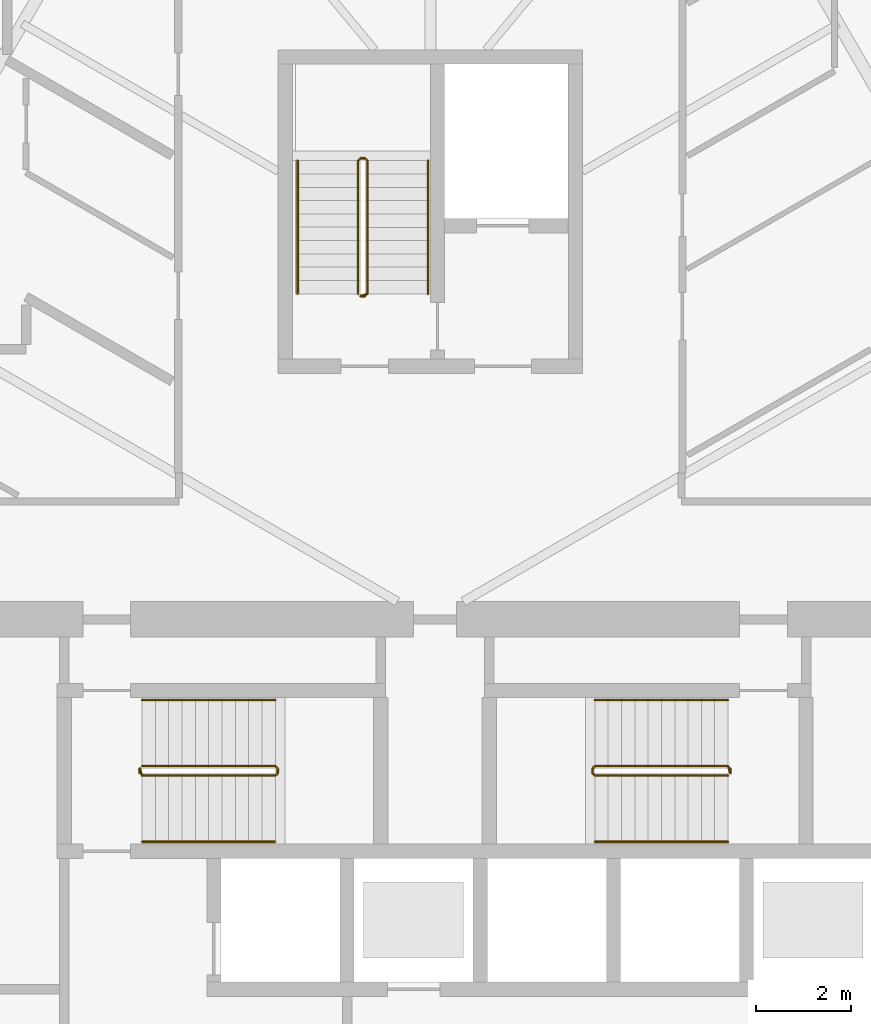
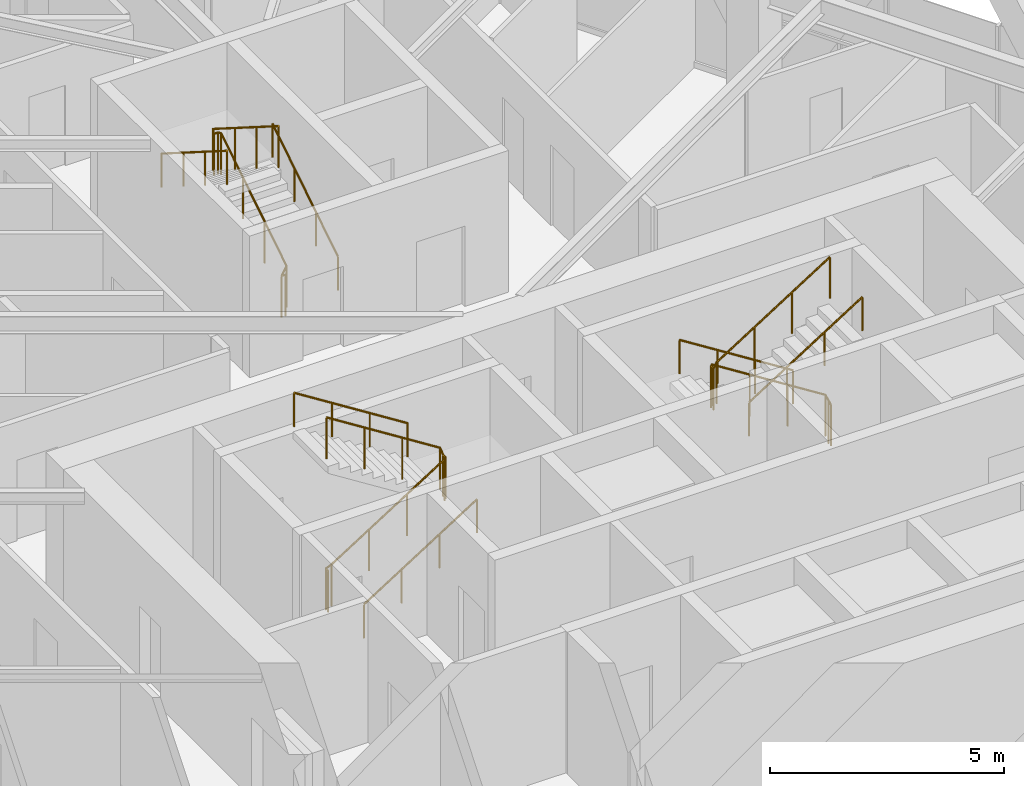
# One storey, part 18 of 19: 9 railings.
"""IFC4 building model written with IfcOpenShell, lengths in metres."""

from ifc_helpers import new_model, si_unit, direction, frame, origin, origin_2d, place, context, subcontext, project, spatial, circle, extrude, material, type_object, element, save


model = new_model("IFC4")

# Units and contexts
model_context = context("Model", 3, precision=1e-05, world=origin(), true_north=direction((0.0, 1.0)))
body_context = subcontext(model_context, "Body", "Model", "MODEL_VIEW")
ifc_project = project(units=[si_unit("LENGTHUNIT", "METRE"), si_unit("AREAUNIT", "SQUARE_METRE"), si_unit("VOLUMEUNIT", "CUBIC_METRE"), si_unit("PLANEANGLEUNIT", "RADIAN"), si_unit("MASSUNIT", "GRAM", prefix="KILO")], contexts=[model_context])

# Site, building, storey
site_placement = place(None, origin())
site = spatial("IfcSite", under=ifc_project, at=site_placement, CompositionType="ELEMENT")
building_placement = place(site_placement, origin())
building = spatial("IfcBuilding", under=site, at=building_placement, Name="Firuza Gate Tower and Library", CompositionType="ELEMENT")
storey_placement = place(building_placement, frame((0.0, 0.0, 233.800048828125)))
storey = spatial("IfcBuildingStorey", under=building, at=storey_placement, Name="L55", CompositionType="ELEMENT", Elevation=233.800048828125)

# Railings
ifc_material_1 = material(Name="Steel S355", Category="steel")
railing_type_1 = type_object("IfcRailingType", Name="Stair guard 1100", PredefinedType="GUARDRAIL", material=ifc_material_1)
railing_1_placement = place(storey_placement, frame((68.889892578125, 79.389892578125, 0.0)))
element("IfcRailing", 1, at=railing_1_placement, inside=storey, type_object=railing_type_1, Name="L55 ST1 stair guard 1", PredefinedType="GUARDRAIL", context=body_context, shape_type="SweptSolid", body=[
    extrude(circle(Radius=0.02392578125, at=origin_2d()), frame((0.0, 0.0, 1.076171875), z_axis=(0.0, 1.0, 0.0), x_axis=(-1.0, 0.0, 0.0)), (0.0, 0.0, 1.0), 0.10009765625),
    extrude(circle(Radius=0.02392578125, at=origin_2d()), frame((0.0, 0.10009765625, 1.076171875), z_axis=(0.210758951027, -0.631248760638, 0.74639511437), x_axis=(0.948528701346, 0.316691178788, 0.0)), (0.0, 0.0, 1.0), 0.237548828125),
    extrude(circle(Radius=0.02392578125, at=origin_2d()), frame((0.050048828125, -0.0498046875, 1.25341796875), z_axis=(0.844908973607, 0.0, 0.534910110503), x_axis=(0.0, 1.0, 0.0)), (0.0, 0.0, 1.0), 3.31396484375),
    extrude(circle(Radius=0.02392578125, at=origin_2d()), frame((2.85009765625, -0.0498046875, 3.02587890625), z_axis=(0.708833529934, 0.705375805398, 0.0), x_axis=(-0.705375805398, 0.708833529934, 0.0)), (0.0, 0.0, 1.0), 0.070556640625),
    extrude(circle(Radius=0.02392578125, at=origin_2d()), frame((2.900146484375, 0.0, 3.02587890625), z_axis=(0.0, 1.0, 0.0), x_axis=(-1.0, 0.0, 0.0)), (0.0, 0.0, 1.0), 0.10009765625),
    extrude(circle(Radius=0.02392578125, at=origin_2d()), frame((2.900146484375, 0.10009765625, 3.02587890625), z_axis=(-0.262233686654, 0.262233686654, 0.928691007369), x_axis=(-0.707106781187, -0.707106781187, 0.0)), (0.0, 0.0, 1.0), 0.19091796875),
    extrude(circle(Radius=0.02392578125, at=origin_2d()), frame((2.85009765625, 0.150146484375, 3.203125), z_axis=(-0.844908973607, 0.0, 0.534910110503), x_axis=(0.0, -1.0, 0.0)), (0.0, 0.0, 1.0), 3.31396484375),
    extrude(circle(Radius=0.02099609375, at=origin_2d()), origin(), (0.0, 0.0, 1.0), 1.052001953125),
    extrude(circle(Radius=0.02099609375, at=origin_2d()), frame((0.0, 0.10009765625, 0.0)), (0.0, 0.0, 1.0), 1.052001953125),
    extrude(circle(Radius=0.02099609375, at=origin_2d()), frame((0.050048828125, -0.0498046875, 0.17724609375)), (0.0, 0.0, 1.0), 1.052001953125),
    extrude(circle(Radius=0.02099609375, at=origin_2d()), frame((0.9833984375, -0.0498046875, 0.76806640625)), (0.0, 0.0, 1.0), 1.052001953125),
    extrude(circle(Radius=0.02099609375, at=origin_2d()), frame((1.916748046875, -0.0498046875, 1.359130859375)), (0.0, 0.0, 1.0), 1.052001953125),
    extrude(circle(Radius=0.02099609375, at=origin_2d()), frame((2.85009765625, -0.0498046875, 1.949951171875)), (0.0, 0.0, 1.0), 1.052001953125),
    extrude(circle(Radius=0.02099609375, at=origin_2d()), frame((2.900146484375, 0.0, 1.949951171875)), (0.0, 0.0, 1.0), 1.052001953125),
    extrude(circle(Radius=0.02099609375, at=origin_2d()), frame((2.900146484375, 0.10009765625, 1.949951171875)), (0.0, 0.0, 1.0), 1.052001953125),
    extrude(circle(Radius=0.02099609375, at=origin_2d()), frame((2.85009765625, 0.150146484375, 2.127197265625)), (0.0, 0.0, 1.0), 1.052001953125),
    extrude(circle(Radius=0.02099609375, at=origin_2d()), frame((1.916748046875, 0.150146484375, 2.718017578125)), (0.0, 0.0, 1.0), 1.052001953125),
    extrude(circle(Radius=0.02099609375, at=origin_2d()), frame((0.9833984375, 0.150146484375, 3.30908203125)), (0.0, 0.0, 1.0), 1.052001953125),
    extrude(circle(Radius=0.02099609375, at=origin_2d()), frame((0.050048828125, 0.150146484375, 3.89990234375)), (0.0, 0.0, 1.0), 1.052001953125),
])
railing_2_placement = place(storey_placement, frame((81.31005859375, 79.489990234375, 0.0)))
element("IfcRailing", 2, at=railing_2_placement, inside=storey, type_object=railing_type_1, Name="L55 ST2 stair guard 1", PredefinedType="GUARDRAIL", context=body_context, shape_type="SweptSolid", body=[
    extrude(circle(Radius=0.02392578125, at=origin_2d()), frame((0.0, 0.0, 1.076171875), z_axis=(0.0, -1.0, 0.0), x_axis=(1.0, 0.0, 0.0)), (0.0, 0.0, 1.0), 0.10009765625),
    extrude(circle(Radius=0.02392578125, at=origin_2d()), frame((0.0, -0.10009765625, 1.076171875), z_axis=(-0.210622194084, 0.631866582253, 0.74591079466), x_axis=(-0.948683298051, -0.316227766017, 0.0)), (0.0, 0.0, 1.0), 0.237548828125),
    extrude(circle(Radius=0.02392578125, at=origin_2d()), frame((-0.050048828125, 0.050048828125, 1.25341796875), z_axis=(-0.844908973607, 0.0, 0.534910110503), x_axis=(0.0, -1.0, 0.0)), (0.0, 0.0, 1.0), 3.31396484375),
    extrude(circle(Radius=0.02392578125, at=origin_2d()), frame((-2.85009765625, 0.050048828125, 3.02587890625), z_axis=(-0.707106781187, -0.707106781187, 0.0), x_axis=(0.707106781187, -0.707106781187, 0.0)), (0.0, 0.0, 1.0), 0.07080078125),
    extrude(circle(Radius=0.02392578125, at=origin_2d()), frame((-2.900146484375, 0.0, 3.02587890625), z_axis=(0.0, -1.0, 0.0), x_axis=(1.0, 0.0, 0.0)), (0.0, 0.0, 1.0), 0.10009765625),
    extrude(circle(Radius=0.02392578125, at=origin_2d()), frame((-2.900146484375, -0.10009765625, 3.02587890625), z_axis=(0.262321481514, -0.261041864531, 0.929001929653), x_axis=(0.705375805398, 0.708833529934, 0.0)), (0.0, 0.0, 1.0), 0.190673828125),
    extrude(circle(Radius=0.02392578125, at=origin_2d()), frame((-2.85009765625, -0.14990234375, 3.203125), z_axis=(0.844908973607, 0.0, 0.534910110503), x_axis=(0.0, 1.0, 0.0)), (0.0, 0.0, 1.0), 3.31396484375),
    extrude(circle(Radius=0.02099609375, at=origin_2d()), origin(), (0.0, 0.0, 1.0), 1.052001953125),
    extrude(circle(Radius=0.02099609375, at=origin_2d()), frame((0.0, -0.10009765625, 0.0)), (0.0, 0.0, 1.0), 1.052001953125),
    extrude(circle(Radius=0.02099609375, at=origin_2d()), frame((-0.050048828125, 0.050048828125, 0.17724609375)), (0.0, 0.0, 1.0), 1.052001953125),
    extrude(circle(Radius=0.02099609375, at=origin_2d()), frame((-0.9833984375, 0.050048828125, 0.76806640625)), (0.0, 0.0, 1.0), 1.052001953125),
    extrude(circle(Radius=0.02099609375, at=origin_2d()), frame((-1.916748046875, 0.050048828125, 1.359130859375)), (0.0, 0.0, 1.0), 1.052001953125),
    extrude(circle(Radius=0.02099609375, at=origin_2d()), frame((-2.85009765625, 0.050048828125, 1.949951171875)), (0.0, 0.0, 1.0), 1.052001953125),
    extrude(circle(Radius=0.02099609375, at=origin_2d()), frame((-2.900146484375, 0.0, 1.949951171875)), (0.0, 0.0, 1.0), 1.052001953125),
    extrude(circle(Radius=0.02099609375, at=origin_2d()), frame((-2.900146484375, -0.10009765625, 1.949951171875)), (0.0, 0.0, 1.0), 1.052001953125),
    extrude(circle(Radius=0.02099609375, at=origin_2d()), frame((-2.85009765625, -0.14990234375, 2.127197265625)), (0.0, 0.0, 1.0), 1.052001953125),
    extrude(circle(Radius=0.02099609375, at=origin_2d()), frame((-1.916748046875, -0.14990234375, 2.718017578125)), (0.0, 0.0, 1.0), 1.052001953125),
    extrude(circle(Radius=0.02099609375, at=origin_2d()), frame((-0.9833984375, -0.14990234375, 3.30908203125)), (0.0, 0.0, 1.0), 1.052001953125),
    extrude(circle(Radius=0.02099609375, at=origin_2d()), frame((-0.050048828125, -0.14990234375, 3.89990234375)), (0.0, 0.0, 1.0), 1.052001953125),
])
railing_3_placement = place(storey_placement, frame((73.6298828125, 89.419921875, 0.0)))
element("IfcRailing", 3, at=railing_3_placement, inside=storey, type_object=railing_type_1, Name="L55 ST3 stair guard 1", PredefinedType="GUARDRAIL", context=body_context, shape_type="SweptSolid", body=[
    extrude(circle(Radius=0.02392578125, at=origin_2d()), frame((0.0, 0.0, 1.076171875), z_axis=(-1.0, 0.0, 0.0), x_axis=(0.0, -1.0, 0.0)), (0.0, 0.0, 1.0), 0.099853515625),
    extrude(circle(Radius=0.02392578125, at=origin_2d()), frame((-0.099853515625, 0.0, 1.076171875), z_axis=(0.631248760638, 0.210758951027, 0.74639511437), x_axis=(-0.316691178788, 0.948528701346, 0.0)), (0.0, 0.0, 1.0), 0.237548828125),
    extrude(circle(Radius=0.02392578125, at=origin_2d()), frame((0.050048828125, 0.050048828125, 1.25341796875), z_axis=(0.0, 0.844908973607, 0.534910110503), x_axis=(-1.0, 0.0, 0.0)), (0.0, 0.0, 1.0), 3.31396484375),
    extrude(circle(Radius=0.02392578125, at=origin_2d()), frame((0.050048828125, 2.85009765625, 3.02587890625), z_axis=(-0.707106781187, 0.707106781187, 0.0), x_axis=(-0.707106781187, -0.707106781187, 0.0)), (0.0, 0.0, 1.0), 0.07080078125),
    extrude(circle(Radius=0.02392578125, at=origin_2d()), frame((0.0, 2.900146484375, 3.02587890625), z_axis=(-1.0, 0.0, 0.0), x_axis=(0.0, -1.0, 0.0)), (0.0, 0.0, 1.0), 0.099853515625),
    extrude(circle(Radius=0.02392578125, at=origin_2d()), frame((-0.099853515625, 2.900146484375, 3.02587890625), z_axis=(-0.262233686654, -0.262233686654, 0.928691007369), x_axis=(0.707106781187, -0.707106781187, 0.0)), (0.0, 0.0, 1.0), 0.19091796875),
    extrude(circle(Radius=0.02392578125, at=origin_2d()), frame((-0.14990234375, 2.85009765625, 3.203125), z_axis=(0.0, -0.844908973607, 0.534910110503), x_axis=(1.0, 0.0, 0.0)), (0.0, 0.0, 1.0), 3.31396484375),
    extrude(circle(Radius=0.02099609375, at=origin_2d()), origin(), (0.0, 0.0, 1.0), 1.052001953125),
    extrude(circle(Radius=0.02099609375, at=origin_2d()), frame((-0.099853515625, 0.0, 0.0)), (0.0, 0.0, 1.0), 1.052001953125),
    extrude(circle(Radius=0.02099609375, at=origin_2d()), frame((0.050048828125, 0.050048828125, 0.17724609375)), (0.0, 0.0, 1.0), 1.052001953125),
    extrude(circle(Radius=0.02099609375, at=origin_2d()), frame((0.050048828125, 0.9833984375, 0.76806640625)), (0.0, 0.0, 1.0), 1.052001953125),
    extrude(circle(Radius=0.02099609375, at=origin_2d()), frame((0.050048828125, 1.916748046875, 1.359130859375)), (0.0, 0.0, 1.0), 1.052001953125),
    extrude(circle(Radius=0.02099609375, at=origin_2d()), frame((0.050048828125, 2.85009765625, 1.949951171875)), (0.0, 0.0, 1.0), 1.052001953125),
    extrude(circle(Radius=0.02099609375, at=origin_2d()), frame((0.0, 2.900146484375, 1.949951171875)), (0.0, 0.0, 1.0), 1.052001953125),
    extrude(circle(Radius=0.02099609375, at=origin_2d()), frame((-0.099853515625, 2.900146484375, 1.949951171875)), (0.0, 0.0, 1.0), 1.052001953125),
    extrude(circle(Radius=0.02099609375, at=origin_2d()), frame((-0.14990234375, 2.85009765625, 2.127197265625)), (0.0, 0.0, 1.0), 1.052001953125),
    extrude(circle(Radius=0.02099609375, at=origin_2d()), frame((-0.14990234375, 1.916748046875, 2.718017578125)), (0.0, 0.0, 1.0), 1.052001953125),
    extrude(circle(Radius=0.02099609375, at=origin_2d()), frame((-0.14990234375, 0.9833984375, 3.30908203125)), (0.0, 0.0, 1.0), 1.052001953125),
    extrude(circle(Radius=0.02099609375, at=origin_2d()), frame((-0.14990234375, 0.050048828125, 3.89990234375)), (0.0, 0.0, 1.0), 1.052001953125),
])
ifc_material_2 = material(Name="Steel S355", Category="steel")
railing_type_2 = type_object("IfcRailingType", Name="Stair handrail 900", PredefinedType="HANDRAIL", material=ifc_material_2)
railing_4_placement = place(storey_placement, frame((68.93994140625, 77.949951171875, 0.17724609375)))
element("IfcRailing", 4, at=railing_4_placement, inside=storey, type_object=railing_type_2, Name="L55 ST1 stair handrail 1", PredefinedType="HANDRAIL", context=body_context, shape_type="SweptSolid", body=[
    extrude(circle(Radius=0.02392578125, at=origin_2d()), frame((0.0, 0.0, 0.8759765625), z_axis=(0.844908973607, 0.0, 0.534910110503), x_axis=(0.0, 1.0, 0.0)), (0.0, 0.0, 1.0), 3.31396484375),
    extrude(circle(Radius=0.02099609375, at=origin_2d()), origin(), (0.0, 0.0, 1.0), 0.851806640625),
    extrude(circle(Radius=0.02099609375, at=origin_2d()), frame((0.933349609375, 0.0, 0.5908203125)), (0.0, 0.0, 1.0), 0.851806640625),
    extrude(circle(Radius=0.02099609375, at=origin_2d()), frame((1.86669921875, 0.0, 1.181884765625)), (0.0, 0.0, 1.0), 0.851806640625),
    extrude(circle(Radius=0.02099609375, at=origin_2d()), frame((2.800048828125, 0.0, 1.772705078125)), (0.0, 0.0, 1.0), 0.851806640625),
])
for number, where, name in (
    (5, (71.739990234375, 80.929931640625, 2.127197265625), "L55 ST1 stair handrail 2"),
    (6, (81.260009765625, 80.929931640625, 0.17724609375), "L55 ST2 stair handrail 1"),
):
    element("IfcRailing", number, at=place(storey_placement, frame(where)), inside=storey, type_object=railing_type_2, Name=name, PredefinedType="HANDRAIL", context=body_context, shape_type="SweptSolid", body=[
        extrude(circle(Radius=0.02392578125, at=origin_2d()), frame((0.0, 0.0, 0.8759765625), z_axis=(-0.844908973607, 0.0, 0.534910110503), x_axis=(0.0, -1.0, 0.0)), (0.0, 0.0, 1.0), 3.31396484375),
        extrude(circle(Radius=0.02099609375, at=origin_2d()), origin(), (0.0, 0.0, 1.0), 0.851806640625),
        extrude(circle(Radius=0.02099609375, at=origin_2d()), frame((-0.933349609375, 0.0, 0.5908203125)), (0.0, 0.0, 1.0), 0.851806640625),
        extrude(circle(Radius=0.02099609375, at=origin_2d()), frame((-1.86669921875, 0.0, 1.181884765625)), (0.0, 0.0, 1.0), 0.851806640625),
        extrude(circle(Radius=0.02099609375, at=origin_2d()), frame((-2.800048828125, 0.0, 1.772705078125)), (0.0, 0.0, 1.0), 0.851806640625),
    ])
railing_5_placement = place(storey_placement, frame((78.4599609375, 77.949951171875, 2.127197265625)))
element("IfcRailing", 7, at=railing_5_placement, inside=storey, type_object=railing_type_2, Name="L55 ST2 stair handrail 2", PredefinedType="HANDRAIL", context=body_context, shape_type="SweptSolid", body=[
    extrude(circle(Radius=0.02392578125, at=origin_2d()), frame((0.0, 0.0, 0.8759765625), z_axis=(0.844908973607, 0.0, 0.534910110503), x_axis=(0.0, 1.0, 0.0)), (0.0, 0.0, 1.0), 3.31396484375),
    extrude(circle(Radius=0.02099609375, at=origin_2d()), origin(), (0.0, 0.0, 1.0), 0.851806640625),
    extrude(circle(Radius=0.02099609375, at=origin_2d()), frame((0.933349609375, 0.0, 0.5908203125)), (0.0, 0.0, 1.0), 0.851806640625),
    extrude(circle(Radius=0.02099609375, at=origin_2d()), frame((1.86669921875, 0.0, 1.181884765625)), (0.0, 0.0, 1.0), 0.851806640625),
    extrude(circle(Radius=0.02099609375, at=origin_2d()), frame((2.800048828125, 0.0, 1.772705078125)), (0.0, 0.0, 1.0), 0.851806640625),
])
railing_6_placement = place(storey_placement, frame((74.949951171875, 89.469970703125, 0.17724609375)))
element("IfcRailing", 8, at=railing_6_placement, inside=storey, type_object=railing_type_2, Name="L55 ST3 stair handrail 1", PredefinedType="HANDRAIL", context=body_context, shape_type="SweptSolid", body=[
    extrude(circle(Radius=0.02392578125, at=origin_2d()), frame((0.0, 0.0, 0.8759765625), z_axis=(0.0, 0.844908973607, 0.534910110503), x_axis=(-1.0, 0.0, 0.0)), (0.0, 0.0, 1.0), 3.31396484375),
    extrude(circle(Radius=0.02099609375, at=origin_2d()), origin(), (0.0, 0.0, 1.0), 0.851806640625),
    extrude(circle(Radius=0.02099609375, at=origin_2d()), frame((0.0, 0.933349609375, 0.5908203125)), (0.0, 0.0, 1.0), 0.851806640625),
    extrude(circle(Radius=0.02099609375, at=origin_2d()), frame((0.0, 1.86669921875, 1.181884765625)), (0.0, 0.0, 1.0), 0.851806640625),
    extrude(circle(Radius=0.02099609375, at=origin_2d()), frame((0.0, 2.800048828125, 1.772705078125)), (0.0, 0.0, 1.0), 0.851806640625),
])
railing_7_placement = place(storey_placement, frame((72.2099609375, 92.27001953125, 2.127197265625)))
element("IfcRailing", 9, at=railing_7_placement, inside=storey, type_object=railing_type_2, Name="L55 ST3 stair handrail 2", PredefinedType="HANDRAIL", context=body_context, shape_type="SweptSolid", body=[
    extrude(circle(Radius=0.02392578125, at=origin_2d()), frame((0.0, 0.0, 0.8759765625), z_axis=(0.0, -0.844908973607, 0.534910110503), x_axis=(1.0, 0.0, 0.0)), (0.0, 0.0, 1.0), 3.31396484375),
    extrude(circle(Radius=0.02099609375, at=origin_2d()), origin(), (0.0, 0.0, 1.0), 0.851806640625),
    extrude(circle(Radius=0.02099609375, at=origin_2d()), frame((0.0, -0.933349609375, 0.5908203125)), (0.0, 0.0, 1.0), 0.851806640625),
    extrude(circle(Radius=0.02099609375, at=origin_2d()), frame((0.0, -1.86669921875, 1.181884765625)), (0.0, 0.0, 1.0), 0.851806640625),
    extrude(circle(Radius=0.02099609375, at=origin_2d()), frame((0.0, -2.800048828125, 1.772705078125)), (0.0, 0.0, 1.0), 0.851806640625),
])

save(model, "model.ifc")
